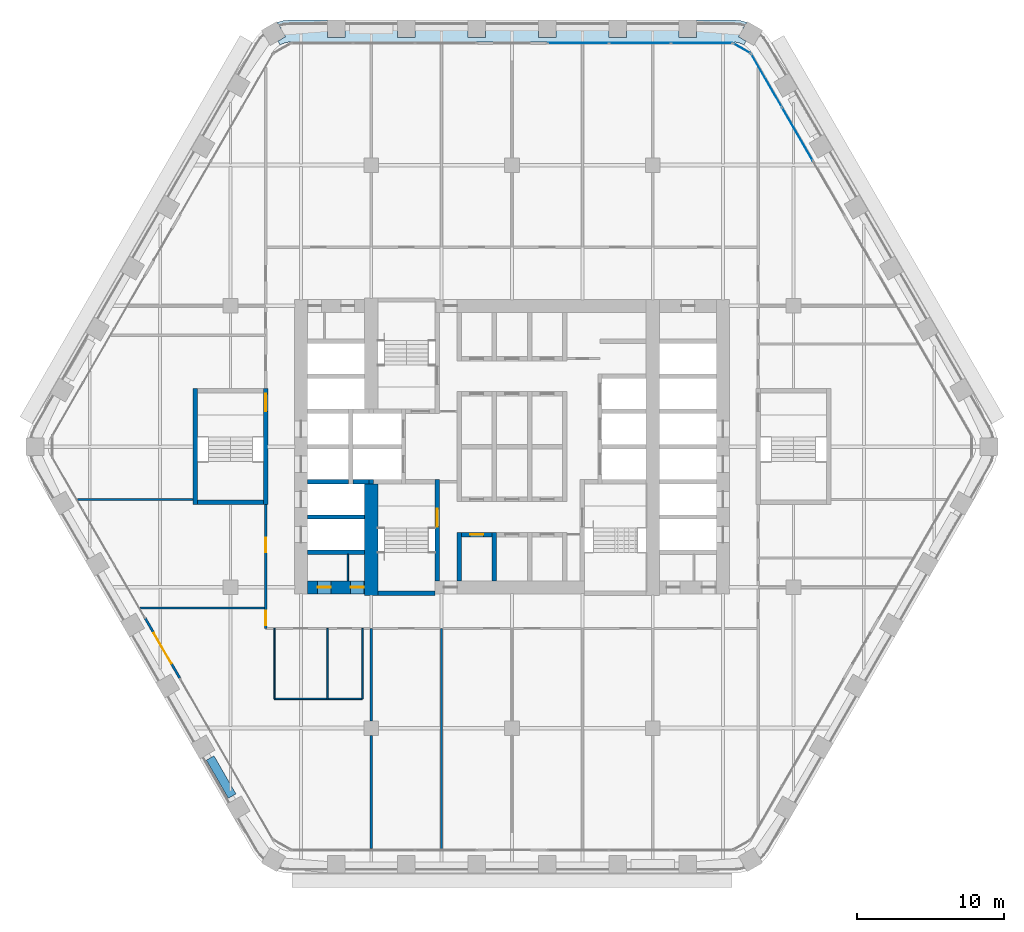
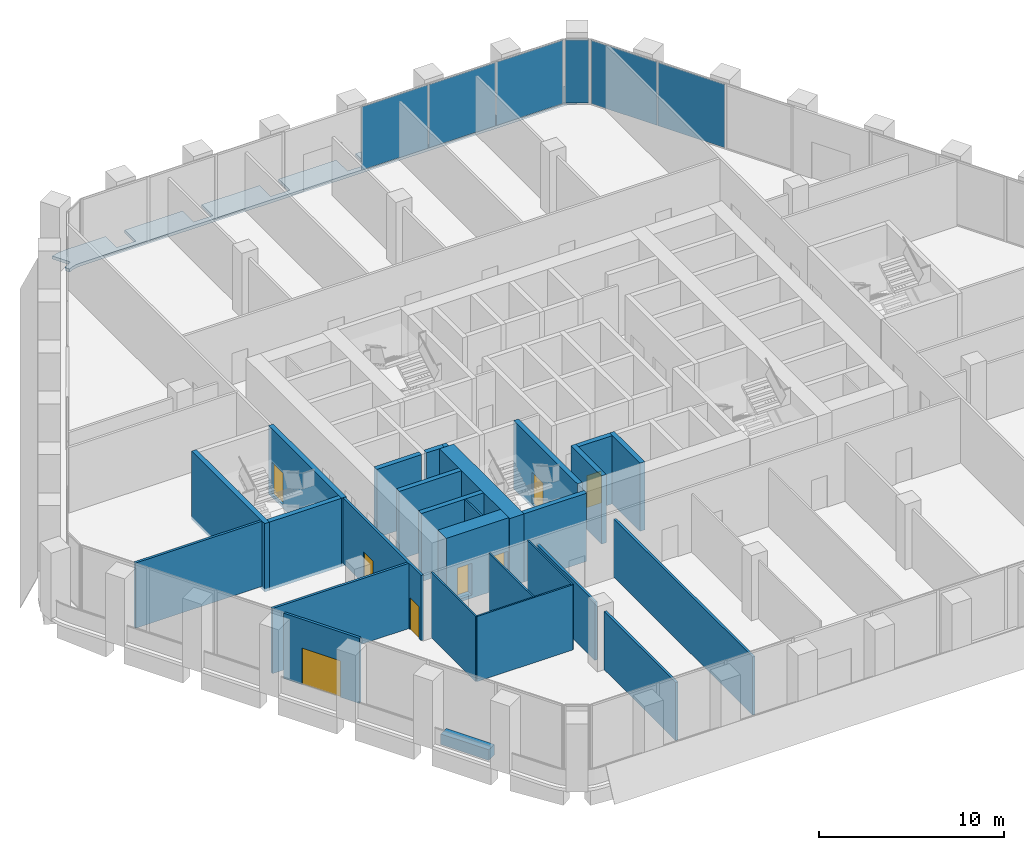
# One storey, part 12 of 22: 28 walls, 8 doors, 6 plates, 1 slab, 8 openings, 3 elements without a shape of their own.
"""IFC4 building model written with IfcOpenShell, lengths in metres."""

from ifc_helpers import new_model, si_unit, direction, frame, frame_2d, origin, origin_2d, place, context, subcontext, project, spatial, polyline, rectangle, outline, extrude, material, layer, layer_set, type_object, element, fill, aggregate, save


model = new_model("IFC4")

# Units and contexts
model_context = context("Model", 3, precision=1e-05, world=origin(), true_north=direction((0.0, 1.0)))
body_context = subcontext(model_context, "Body", "Model", "MODEL_VIEW")
ifc_project = project(units=[si_unit("LENGTHUNIT", "METRE"), si_unit("AREAUNIT", "SQUARE_METRE"), si_unit("VOLUMEUNIT", "CUBIC_METRE"), si_unit("PLANEANGLEUNIT", "RADIAN"), si_unit("MASSUNIT", "GRAM", prefix="KILO")], contexts=[model_context])

# Site, building, storey
site_placement = place(None, origin())
site = spatial("IfcSite", under=ifc_project, at=site_placement, CompositionType="ELEMENT")
building_placement = place(site_placement, origin())
building = spatial("IfcBuilding", under=site, at=building_placement, Name="Kolab Exchange Tower", CompositionType="ELEMENT")
storey_placement = place(building_placement, frame((0.0, 0.0, 113.89990234375)))
storey = spatial("IfcBuildingStorey", under=building, at=storey_placement, Name="L22", CompositionType="ELEMENT", Elevation=113.89990234375)

# Slab
ifc_material_1 = material(Name="Concrete C35/45", Category="concrete")
ifc_layer_1 = layer(ifc_material_1, 0.199951171875)
ifc_layer_set_1 = layer_set([ifc_layer_1], Name="Concrete C35/45")
slab_type = type_object("IfcSlabType", Name="LOGGIA SLAB 200", PredefinedType="FLOOR", material=ifc_layer_set_1)
slab_placement = place(storey_placement, frame((0.0, 0.0, -0.199951171875)))
element("IfcSlab", 1, at=slab_placement, inside=storey, type_object=slab_type, Name="slab/L22/loggia/0-0", PredefinedType="FLOOR", context=body_context, shape_type="SweptSolid", body=[
    extrude(outline(polyline([(15.81787109375, 27.3974609375), (15.968017578125, 27.6572265625), (15.4482421875, 27.957275390625), (16.014892578125, 28.938720703125), (15.5888671875, 29.052978515625), (15.06787109375, 29.098388671875), (12.60009765625, 29.098388671875), (12.60009765625, 27.8984375), (11.39990234375, 27.8984375), (11.39990234375, 29.098388671875), (7.800048828125, 29.098388671875), (7.800048828125, 27.8984375), (6.60009765625, 27.8984375), (6.60009765625, 29.098388671875), (3.0, 29.098388671875), (3.0, 27.8984375), (1.800048828125, 27.8984375), (1.800048828125, 29.098388671875), (-1.800048828125, 29.098388671875), (-1.800048828125, 27.8984375), (-3.0, 27.8984375), (-3.0, 29.098388671875), (-6.60009765625, 29.098388671875), (-6.60009765625, 27.8984375), (-7.800048828125, 27.8984375), (-7.800048828125, 29.098388671875), (-11.39990234375, 29.098388671875), (-11.39990234375, 27.8984375), (-12.60009765625, 27.8984375), (-12.60009765625, 29.098388671875), (-15.06787109375, 29.098388671875), (-15.5888671875, 29.052978515625), (-16.014892578125, 28.938720703125), (-15.4482421875, 27.957275390625), (-15.968017578125, 27.6572265625), (-15.81787109375, 27.3974609375), (-15.5810546875, 27.508056640625), (-15.328369140625, 27.57568359375), (-15.06787109375, 27.598388671875), (15.06787109375, 27.598388671875), (15.328369140625, 27.57568359375), (15.5810546875, 27.508056640625), (15.81787109375, 27.3974609375)])), origin(), (0.0, 0.0, 1.0), 0.199951171875),
])

# Curtain wall, plates
ifc_material_2 = material(Name="Aluminium EN AW-6063 T6", Category="aluminium")
curtain_wall_type = type_object("IfcCurtainWallType", Name="UNITISED LOWER MID ZONE CURTAIN WALL", PredefinedType="NOTDEFINED", material=ifc_material_2)
curtain_wall_1_placement = place(storey_placement, origin())
curtain_wall_1 = element("IfcCurtainWall", 2, at=curtain_wall_1_placement, inside=storey, type_object=curtain_wall_type, Name="cw/L22/F1-2", PredefinedType="NOTDEFINED")
ifc_material_3 = material(Name="Clear insulated glazing unit", Category="glass")
ifc_layer_2 = layer(ifc_material_3, 0.02587890625)
ifc_layer_set_2 = layer_set([ifc_layer_2], Name="Clear insulated glazing unit")
plate_type = type_object("IfcPlateType", Name="UNITISED LOWER MID ZONE GLASS PANEL 26", PredefinedType="CURTAIN_PANEL", material=ifc_layer_set_2)
plate_1_placement = place(storey_placement, frame((4.5263671875, 27.5185546875, 0.06005859375), z_axis=(0.0, 0.0, 1.0), x_axis=(1.0, 0.0, 0.0)))
plate_1 = element("IfcPlate", 3, at=plate_1_placement, type_object=plate_type, Name="CW2 panel 1.1", PredefinedType="CURTAIN_PANEL", context=body_context, shape_type="SweptSolid", body=[
    extrude(rectangle(XDim=4.132568359375, YDim=0.02587890625, at=origin_2d()), origin(), (0.0, 0.0, 1.0), 4.179931640625),
])
plate_2_placement = place(storey_placement, frame((8.73388671875, 27.5185546875, 0.06005859375), z_axis=(0.0, 0.0, 1.0), x_axis=(1.0, 0.0, 0.0)))
plate_2 = element("IfcPlate", 4, at=plate_2_placement, type_object=plate_type, Name="CW2 panel 2.1", PredefinedType="CURTAIN_PANEL", context=body_context, shape_type="SweptSolid", body=[
    extrude(rectangle(XDim=4.16259765625, YDim=0.02587890625, at=origin_2d()), origin(), (0.0, 0.0, 1.0), 4.179931640625),
])
plate_3_placement = place(storey_placement, frame((12.941650390625, 27.5185546875, 0.06005859375), z_axis=(0.0, 0.0, 1.0), x_axis=(1.0, 0.0, 0.0)))
plate_3 = element("IfcPlate", 5, at=plate_3_placement, type_object=plate_type, Name="CW2 panel 3.1", PredefinedType="CURTAIN_PANEL", context=body_context, shape_type="SweptSolid", body=[
    extrude(rectangle(XDim=4.132568359375, YDim=0.02587890625, at=origin_2d()), origin(), (0.0, 0.0, 1.0), 4.179931640625),
])
aggregate(curtain_wall_1, [plate_1, plate_2, plate_3])

curtain_wall_2_placement = place(storey_placement, origin())
curtain_wall_2 = element("IfcCurtainWall", 6, at=curtain_wall_2_placement, inside=storey, type_object=curtain_wall_type, Name="cw/L22/F2-1", PredefinedType="NOTDEFINED")
plate_4_placement = place(storey_placement, frame((17.36083984375, 24.967041015625, 0.06005859375), z_axis=(0.0, 0.0, 1.0), x_axis=(0.500000017564, -0.866025393644, 0.0)))
plate_4 = element("IfcPlate", 7, at=plate_4_placement, type_object=plate_type, Name="CW2 panel 1.1", PredefinedType="CURTAIN_PANEL", context=body_context, shape_type="SweptSolid", body=[
    extrude(rectangle(XDim=4.132568359375, YDim=0.02587890625, at=origin_2d()), origin(), (0.0, 0.0, 1.0), 4.179931640625),
])
plate_5_placement = place(storey_placement, frame((19.464599609375, 21.322998046875, 0.06005859375), z_axis=(0.0, 0.0, 1.0), x_axis=(0.500000017564, -0.866025393644, 0.0)))
plate_5 = element("IfcPlate", 8, at=plate_5_placement, type_object=plate_type, Name="CW2 panel 2.1", PredefinedType="CURTAIN_PANEL", context=body_context, shape_type="SweptSolid", body=[
    extrude(rectangle(XDim=4.16259765625, YDim=0.02587890625, at=origin_2d()), origin(), (0.0, 0.0, 1.0), 4.179931640625),
])
aggregate(curtain_wall_2, [plate_4, plate_5])

# Curtain wall, plate
curtain_wall_3_placement = place(storey_placement, origin())
curtain_wall_3 = element("IfcCurtainWall", 9, at=curtain_wall_3_placement, inside=storey, type_object=curtain_wall_type, Name="cw/L22/F1F2-corner", PredefinedType="NOTDEFINED")
plate_6_placement = place(storey_placement, frame((15.682861328125, 27.16357421875, 0.06005859375), z_axis=(0.0, 0.0, 1.0), x_axis=(0.866025390869, -0.50000002237, 0.0)))
plate_6 = element("IfcPlate", 10, at=plate_6_placement, type_object=plate_type, Name="CW2 panel 1.1", PredefinedType="CURTAIN_PANEL", context=body_context, shape_type="SweptSolid", body=[
    extrude(rectangle(XDim=1.300048828125, YDim=0.02587890625, at=origin_2d()), origin(), (0.0, 0.0, 1.0), 4.179931640625),
])
aggregate(curtain_wall_3, [plate_6])

# Wall, openings, doors
ifc_material_4 = material(Name="Concrete C70/85", Category="concrete")
ifc_layer_3 = layer(ifc_material_4, 0.89990234375)
ifc_layer_set_3 = layer_set([ifc_layer_3], Name="Concrete C70/85")
wall_type_1 = type_object("IfcWallType", Name="CORE WALL 900 C70/85", PredefinedType="SHEAR", material=ifc_layer_set_3)
wall_1_placement = place(storey_placement, frame((-13.949951171875, -9.60009765625, -0.199951171875), z_axis=(0.0, 0.0, 1.0), x_axis=(1.0, 0.0, 0.0)))
wall_1 = element("IfcWall", 11, at=wall_1_placement, inside=storey, type_object=wall_type_1, Name="wall/L22/core/002", PredefinedType="SHEAR", context=body_context, shape_type="SweptSolid", body=[
    extrude(rectangle(XDim=3.89990234375, YDim=0.89990234375, at=frame_2d((1.949951171875, 0.0))), origin(), (0.0, 0.0, 1.0), 4.5),
])
opening_1_placement = place(wall_1_placement, frame((0.699951171875, 0.0, 0.199951171875)))
opening_1 = element("IfcOpeningElement", 12, at=opening_1_placement, cuts=wall_1, Name="Opening D6-234", PredefinedType="OPENING", context=body_context, shape_type="SweptSolid", body=[
    extrude(rectangle(XDim=0.89990234375, YDim=2.10009765625, at=frame_2d((0.449951171875, 1.050048828125))), frame((0.0, 0.4599609375, 0.0), z_axis=(0.0, -1.0, 0.0), x_axis=(1.0, 0.0, 0.0)), (0.0, 0.0, 1.0), 0.919921875),
])
opening_2_placement = place(wall_1_placement, frame((2.949951171875, 0.0, 0.199951171875)))
opening_2 = element("IfcOpeningElement", 13, at=opening_2_placement, cuts=wall_1, Name="Opening D6-235", PredefinedType="OPENING", context=body_context, shape_type="SweptSolid", body=[
    extrude(rectangle(XDim=0.89990234375, YDim=2.10009765625, at=frame_2d((0.449951171875, 1.050048828125))), frame((0.0, 0.4599609375, 0.0), z_axis=(0.0, -1.0, 0.0), x_axis=(1.0, 0.0, 0.0)), (0.0, 0.0, 1.0), 0.919921875),
])
ifc_material_5 = material(Name="Steel S235", Category="steel")
door_type_1 = type_object("IfcDoorType", Name="CORE DOOR 900 EI 120", OperationType="SINGLE_SWING_LEFT", PredefinedType="DOOR", material=ifc_material_5)
door_1_placement = place(opening_1_placement, origin())
door_1 = element("IfcDoor", 14, at=door_1_placement, inside=storey, type_object=door_type_1, Name="Service room door", OperationType="SINGLE_SWING_RIGHT", OverallHeight=2.10009765625, OverallWidth=0.89990234375, PredefinedType="DOOR", context=body_context, shape_type="SweptSolid", body=[
    extrude(rectangle(XDim=0.89990234375, YDim=2.10009765625, at=frame_2d((0.449951171875, 1.050048828125))), frame((0.0, 0.02490234375, 0.0), z_axis=(0.0, -1.0, 0.0), x_axis=(1.0, 0.0, 0.0)), (0.0, 0.0, 1.0), 0.050048828125),
])
fill(opening_1, door_1)
door_2_placement = place(opening_2_placement, origin())
door_2 = element("IfcDoor", 15, at=door_2_placement, inside=storey, type_object=door_type_1, Name="Service room door", OperationType="SINGLE_SWING_LEFT", OverallHeight=2.10009765625, OverallWidth=0.89990234375, PredefinedType="DOOR", context=body_context, shape_type="SweptSolid", body=[
    extrude(rectangle(XDim=0.89990234375, YDim=2.10009765625, at=frame_2d((0.449951171875, 1.050048828125))), frame((0.0, 0.02490234375, 0.0), z_axis=(0.0, -1.0, 0.0), x_axis=(1.0, 0.0, 0.0)), (0.0, 0.0, 1.0), 0.050048828125),
])
fill(opening_2, door_2)

# Wall
wall_2_placement = place(storey_placement, frame((-9.60009765625, -10.14990234375, -0.199951171875), z_axis=(0.0, 0.0, 1.0), x_axis=(0.0, 1.0, 0.0)))
element("IfcWall", 16, at=wall_2_placement, inside=storey, type_object=wall_type_1, Name="wall/L22/core/059", PredefinedType="SHEAR", context=body_context, shape_type="SweptSolid", body=[
    extrude(rectangle(XDim=7.599853515625, YDim=0.89990234375, at=frame_2d((3.7998046875, 0.0))), origin(), (0.0, 0.0, 1.0), 4.5),
])

# Wall, opening, door
ifc_layer_4 = layer(ifc_material_2, 0.159912109375)
ifc_layer_set_4 = layer_set([ifc_layer_4], Name="Aluminium EN AW-6063 T6")
wall_type_2 = type_object("IfcWallType", Name="DOOR SURROUND WALL 160 ALUMINIUM FRAMED", PredefinedType="PARTITIONING", material=ifc_layer_set_4)
wall_3_placement = place(storey_placement, frame((-22.646728515625, -15.811767578125, 0.0), z_axis=(0.0, 0.0, 1.0), x_axis=(-0.499978080042, 0.866038058908, 0.0)))
wall_3 = element("IfcWall", 17, at=wall_3_placement, inside=storey, type_object=wall_type_2, Name="Door surround wall", PredefinedType="PARTITIONING", context=body_context, shape_type="SweptSolid", body=[
    extrude(rectangle(XDim=4.739990234375, YDim=0.159912109375, at=frame_2d((2.3701171875, 0.0))), origin(), (0.0, 0.0, 1.0), 4.300048828125),
])
opening_3_placement = place(wall_3_placement, frame((1.169921875, 0.0, 0.0)))
opening_3 = element("IfcOpeningElement", 18, at=opening_3_placement, cuts=wall_3, Name="Opening GD1-038", PredefinedType="OPENING", context=body_context, shape_type="SweptSolid", body=[
    extrude(rectangle(XDim=2.39990234375, YDim=2.39990234375, at=frame_2d((1.199951171875, 1.199951171875))), frame((0.0, 0.08984375, 0.0), z_axis=(0.0, -1.0, 0.0), x_axis=(1.0, 0.0, 0.0)), (0.0, 0.0, 1.0), 0.179931640625),
])
door_type_2 = type_object("IfcDoorType", Name="LOGGIA SLIDING GLASS DOOR 2400 X 2400", OperationType="DOUBLE_DOOR_SINGLE_SWING", PredefinedType="DOOR", material=ifc_material_2)
door_3_placement = place(opening_3_placement, origin())
door_3 = element("IfcDoor", 19, at=door_3_placement, inside=storey, type_object=door_type_2, Name="Loggia door", OperationType="DOUBLE_DOOR_SLIDING", OverallHeight=2.39990234375, OverallWidth=2.39990234375, PredefinedType="DOOR", context=body_context, shape_type="SweptSolid", body=[
    extrude(rectangle(XDim=2.39990234375, YDim=2.39990234375, at=frame_2d((1.199951171875, 1.199951171875))), frame((0.0, 0.02490234375, 0.0), z_axis=(0.0, -1.0, 0.0), x_axis=(1.0, 0.0, 0.0)), (0.0, 0.0, 1.0), 0.050048828125),
])
fill(opening_3, door_3)

# Wall
ifc_material_6 = material(Name="Concrete C50/60", Category="concrete")
ifc_layer_5 = layer(ifc_material_6, 0.300048828125)
ifc_layer_set_5 = layer_set([ifc_layer_5], Name="Concrete C50/60")
wall_type_3 = type_object("IfcWallType", Name="LIFT SHAFT WALL 300 C50/60", PredefinedType="STANDARD", material=ifc_layer_set_5)
wall_4_placement = place(storey_placement, frame((-13.949951171875, -7.199951171875, -0.199951171875), z_axis=(0.0, 0.0, 1.0), x_axis=(1.0, 0.0, 0.0)))
element("IfcWall", 20, at=wall_4_placement, inside=storey, type_object=wall_type_3, Name="wall/L22/core/005", PredefinedType="STANDARD", context=body_context, shape_type="SweptSolid", body=[
    extrude(rectangle(XDim=3.89990234375, YDim=0.300048828125, at=frame_2d((1.949951171875, 0.0))), origin(), (0.0, 0.0, 1.0), 4.5),
])

# Wall, opening, door
wall_5_placement = place(storey_placement, frame((-3.449951171875, -6.0, -0.199951171875), z_axis=(0.0, 0.0, 1.0), x_axis=(1.0, 0.0, 0.0)))
wall_5 = element("IfcWall", 21, at=wall_5_placement, inside=storey, type_object=wall_type_3, Name="wall/L22/core/007", PredefinedType="STANDARD", context=body_context, shape_type="SweptSolid", body=[
    extrude(rectangle(XDim=2.099853515625, YDim=0.300048828125, at=frame_2d((1.0498046875, 0.0))), origin(), (0.0, 0.0, 1.0), 4.5),
])
opening_4_placement = place(wall_5_placement, frame((0.60009765625, 0.0, 0.199951171875)))
opening_4 = element("IfcOpeningElement", 22, at=opening_4_placement, cuts=wall_5, Name="Opening D6-202", PredefinedType="OPENING", context=body_context, shape_type="SweptSolid", body=[
    extrude(rectangle(XDim=0.89990234375, YDim=2.10009765625, at=frame_2d((0.449951171875, 1.050048828125))), frame((0.0, 0.16015625, 0.0), z_axis=(0.0, -1.0, 0.0), x_axis=(1.0, 0.0, 0.0)), (0.0, 0.0, 1.0), 0.320068359375),
])
door_4_placement = place(opening_4_placement, frame((0.89990234375, 0.0, 0.0), z_axis=(0.0, 0.0, 1.0), x_axis=(-1.0, 0.0, 0.0)))
door_4 = element("IfcDoor", 23, at=door_4_placement, inside=storey, type_object=door_type_1, Name="Service room door", OperationType="SINGLE_SWING_LEFT", OverallHeight=2.10009765625, OverallWidth=0.89990234375, PredefinedType="DOOR", context=body_context, shape_type="SweptSolid", body=[
    extrude(rectangle(XDim=0.89990234375, YDim=2.10009765625, at=frame_2d((0.449951171875, 1.050048828125))), frame((0.0, 0.02490234375, 0.0), z_axis=(0.0, -1.0, 0.0), x_axis=(1.0, 0.0, 0.0)), (0.0, 0.0, 1.0), 0.050048828125),
])
fill(opening_4, door_4)

# Walls
wall_6_placement = place(storey_placement, frame((-13.949951171875, -4.800048828125, -0.199951171875), z_axis=(0.0, 0.0, 1.0), x_axis=(1.0, 0.0, 0.0)))
element("IfcWall", 24, at=wall_6_placement, inside=storey, type_object=wall_type_3, Name="wall/L22/core/010", PredefinedType="STANDARD", context=body_context, shape_type="SweptSolid", body=[
    extrude(rectangle(XDim=3.89990234375, YDim=0.300048828125, at=frame_2d((1.949951171875, 0.0))), origin(), (0.0, 0.0, 1.0), 4.5),
])
wall_7_placement = place(storey_placement, frame((-13.949951171875, -2.39990234375, -0.199951171875), z_axis=(0.0, 0.0, 1.0), x_axis=(1.0, 0.0, 0.0)))
element("IfcWall", 25, at=wall_7_placement, inside=storey, type_object=wall_type_3, Name="wall/L22/core/017", PredefinedType="STANDARD", context=body_context, shape_type="SweptSolid", body=[
    extrude(rectangle(XDim=2.800048828125, YDim=0.300048828125, at=frame_2d((1.39990234375, 0.0))), origin(), (0.0, 0.0, 1.0), 4.5),
])
wall_8_placement = place(storey_placement, frame((-10.85009765625, -2.39990234375, -0.199951171875), z_axis=(0.0, 0.0, 1.0), x_axis=(1.0, 0.0, 0.0)))
element("IfcWall", 26, at=wall_8_placement, inside=storey, type_object=wall_type_3, Name="wall/L22/core/018", PredefinedType="STANDARD", context=body_context, shape_type="SweptSolid", body=[
    extrude(rectangle(XDim=1.10009765625, YDim=0.300048828125, at=frame_2d((0.550048828125, 0.0))), origin(), (0.0, 0.0, 1.0), 4.5),
])
for number, where, z_axis, x_axis, name in (
    (27, (-3.60009765625, -9.14990234375, -0.199951171875), (0.0, 0.0, 1.0), (0.0, 1.0, 0.0), "wall/L22/core/066"),
    (28, (-1.199951171875, -9.14990234375, -0.199951171875), (0.0, 0.0, 1.0), (0.0, 1.0, 0.0), "wall/L22/core/069"),
):
    element("IfcWall", number, at=place(storey_placement, frame(where, z_axis=z_axis, x_axis=x_axis)), inside=storey, type_object=wall_type_3, Name=name, PredefinedType="STANDARD", context=body_context, shape_type="SweptSolid", body=[
        extrude(rectangle(XDim=3.2998046875, YDim=0.300048828125, at=frame_2d((1.64990234375, 0.0))), origin(), (0.0, 0.0, 1.0), 4.5),
    ])
ifc_material_7 = material(Name="Gypsum board", Category="gypsum")
ifc_layer_6 = layer(ifc_material_7, 0.10009765625)
ifc_layer_set_6 = layer_set([ifc_layer_6], Name="Gypsum board")
wall_type_4 = type_object("IfcWallType", Name="PARTITION 100", PredefinedType="PARTITIONING", material=ifc_layer_set_6)
wall_9_placement = place(storey_placement, frame((-10.199951171875, -17.199951171875, 0.0), z_axis=(0.0, 0.0, 1.0), x_axis=(0.0, 1.0, 0.0)))
element("IfcWall", 29, at=wall_9_placement, inside=storey, type_object=wall_type_4, Name="Partition 019", PredefinedType="PARTITIONING", context=body_context, shape_type="SweptSolid", body=[
    extrude(rectangle(XDim=4.800048828125, YDim=0.10009765625, at=frame_2d((2.39990234375, 0.0))), origin(), (0.0, 0.0, 1.0), 4.300048828125),
])
wall_10_placement = place(storey_placement, frame((-11.199951171875, -9.14990234375, 0.0), z_axis=(0.0, 0.0, 1.0), x_axis=(0.0, 1.0, 0.0)))
element("IfcWall", 30, at=wall_10_placement, inside=storey, type_object=wall_type_4, Name="Partition 020", PredefinedType="PARTITIONING", context=body_context, shape_type="SweptSolid", body=[
    extrude(rectangle(XDim=1.7998046875, YDim=0.10009765625, at=frame_2d((0.89990234375, 0.0))), origin(), (0.0, 0.0, 1.0), 4.300048828125),
])
for number, where, z_axis, x_axis, name in (
    (31, (-12.60009765625, -17.199951171875, 0.0), (0.0, 0.0, 1.0), (0.0, 1.0, 0.0), "Partition 021"),
    (32, (-16.199951171875, -17.199951171875, 0.0), (0.0, 0.0, 1.0), (0.0, 1.0, 0.0), "Partition 023"),
):
    element("IfcWall", number, at=place(storey_placement, frame(where, z_axis=z_axis, x_axis=x_axis)), inside=storey, type_object=wall_type_4, Name=name, PredefinedType="PARTITIONING", context=body_context, shape_type="SweptSolid", body=[
        extrude(rectangle(XDim=4.800048828125, YDim=0.10009765625, at=frame_2d((2.39990234375, 0.0))), origin(), (0.0, 0.0, 1.0), 4.300048828125),
    ])
wall_11_placement = place(storey_placement, frame((-16.199951171875, -17.199951171875, 0.0), z_axis=(0.0, 0.0, 1.0), x_axis=(1.0, 0.0, 0.0)))
element("IfcWall", 33, at=wall_11_placement, inside=storey, type_object=wall_type_4, Name="Partition 026", PredefinedType="PARTITIONING", context=body_context, shape_type="SweptSolid", body=[
    extrude(rectangle(XDim=6.0, YDim=0.10009765625, at=frame_2d((3.0, 0.0))), origin(), (0.0, 0.0, 1.0), 4.300048828125),
])
ifc_layer_7 = layer(ifc_material_7, 0.14990234375)
ifc_layer_set_7 = layer_set([ifc_layer_7], Name="Gypsum board")
wall_type_5 = type_object("IfcWallType", Name="PARTITION 150 FIRE-RATED", PredefinedType="PARTITIONING", material=ifc_layer_set_7)
wall_12_placement = place(storey_placement, frame((-4.800048828125, -27.428466796875, 0.0), z_axis=(0.0, 0.0, 1.0), x_axis=(0.0, 1.0, 0.0)))
element("IfcWall", 34, at=wall_12_placement, inside=storey, type_object=wall_type_5, Name="Partition 013", PredefinedType="PARTITIONING", context=body_context, shape_type="SweptSolid", body=[
    extrude(rectangle(XDim=15.028564453125, YDim=0.14990234375, at=frame_2d((7.51416015625, 0.0))), origin(), (0.0, 0.0, 1.0), 3.843017578125),
])
wall_13_placement = place(storey_placement, frame((-9.60009765625, -27.428466796875, 0.0), z_axis=(0.0, 0.0, 1.0), x_axis=(0.0, 1.0, 0.0)))
element("IfcWall", 35, at=wall_13_placement, inside=storey, type_object=wall_type_5, Name="Partition 015", PredefinedType="PARTITIONING", context=body_context, shape_type="SweptSolid", body=[
    extrude(rectangle(XDim=7.728515625, YDim=0.14990234375, at=frame_2d((3.8642578125, 0.0))), origin(), (0.0, 0.0, 1.0), 3.843017578125),
])
wall_14_placement = place(storey_placement, frame((-9.60009765625, -18.699951171875, 0.0), z_axis=(0.0, 0.0, 1.0), x_axis=(0.0, 1.0, 0.0)))
element("IfcWall", 36, at=wall_14_placement, inside=storey, type_object=wall_type_5, Name="Partition 016", PredefinedType="PARTITIONING", context=body_context, shape_type="SweptSolid", body=[
    extrude(rectangle(XDim=6.300048828125, YDim=0.14990234375, at=frame_2d((3.14990234375, 0.0))), origin(), (0.0, 0.0, 1.0), 3.843017578125),
])

# Wall, openings, doors
wall_15_placement = place(storey_placement, frame((-16.800048828125, -12.39990234375, 0.0), z_axis=(0.0, 0.0, 1.0), x_axis=(0.0, 1.0, 0.0)))
wall_15 = element("IfcWall", 37, at=wall_15_placement, inside=storey, type_object=wall_type_5, Name="Partition 024", PredefinedType="PARTITIONING", context=body_context, shape_type="SweptSolid", body=[
    extrude(rectangle(XDim=8.449951171875, YDim=0.14990234375, at=frame_2d((4.22509765625, 0.0))), origin(), (0.0, 0.0, 1.0), 4.300048828125),
])
opening_5_placement = place(wall_15_placement, frame((0.215087890625, 0.0, 0.0)))
opening_5 = element("IfcOpeningElement", 38, at=opening_5_placement, cuts=wall_15, Name="Opening D1-307", PredefinedType="OPENING", context=body_context, shape_type="SweptSolid", body=[
    extrude(rectangle(XDim=1.0, YDim=2.10009765625, at=frame_2d((0.5, 1.050048828125))), frame((0.0, 0.0849609375, 0.0), z_axis=(0.0, -1.0, 0.0), x_axis=(1.0, 0.0, 0.0)), (0.0, 0.0, 1.0), 0.169921875),
])
opening_6_placement = place(wall_15_placement, frame((5.199951171875, 0.0, 0.0)))
opening_6 = element("IfcOpeningElement", 39, at=opening_6_placement, cuts=wall_15, Name="Opening D1-319", PredefinedType="OPENING", context=body_context, shape_type="SweptSolid", body=[
    extrude(rectangle(XDim=1.0, YDim=2.10009765625, at=frame_2d((0.5, 1.050048828125))), frame((0.0, 0.0849609375, 0.0), z_axis=(0.0, -1.0, 0.0), x_axis=(1.0, 0.0, 0.0)), (0.0, 0.0, 1.0), 0.169921875),
])
door_type_3 = type_object("IfcDoorType", Name="FLUSH DOOR 1000 FD60", OperationType="SINGLE_SWING_LEFT", PredefinedType="DOOR", material=ifc_material_5)
door_5_placement = place(opening_5_placement, origin())
door_5 = element("IfcDoor", 40, at=door_5_placement, inside=storey, type_object=door_type_3, Name="Door L22-054", OperationType="SINGLE_SWING_RIGHT", OverallHeight=2.10009765625, OverallWidth=1.0, PredefinedType="DOOR", context=body_context, shape_type="SweptSolid", body=[
    extrude(rectangle(XDim=1.0, YDim=2.10009765625, at=frame_2d((0.5, 1.050048828125))), frame((0.0, 0.02490234375, 0.0), z_axis=(0.0, -1.0, 0.0), x_axis=(1.0, 0.0, 0.0)), (0.0, 0.0, 1.0), 0.050048828125),
])
fill(opening_5, door_5)
door_6_placement = place(opening_6_placement, origin())
door_6 = element("IfcDoor", 41, at=door_6_placement, inside=storey, type_object=door_type_3, Name="Door L22-066", OperationType="SINGLE_SWING_RIGHT", OverallHeight=2.10009765625, OverallWidth=1.0, PredefinedType="DOOR", context=body_context, shape_type="SweptSolid", body=[
    extrude(rectangle(XDim=1.0, YDim=2.10009765625, at=frame_2d((0.5, 1.050048828125))), frame((0.0, 0.02490234375, 0.0), z_axis=(0.0, -1.0, 0.0), x_axis=(1.0, 0.0, 0.0)), (0.0, 0.0, 1.0), 0.050048828125),
])
fill(opening_6, door_6)

# Walls
wall_16_placement = place(storey_placement, frame((-25.37841796875, -11.0, 0.0), z_axis=(0.0, 0.0, 1.0), x_axis=(1.0, 0.0, 0.0)))
element("IfcWall", 42, at=wall_16_placement, inside=storey, type_object=wall_type_5, Name="Partition 028", PredefinedType="PARTITIONING", context=body_context, shape_type="SweptSolid", body=[
    extrude(rectangle(XDim=8.578369140625, YDim=0.14990234375, at=frame_2d((4.2890625, 0.0))), origin(), (0.0, 0.0, 1.0), 4.300048828125),
])
wall_17_placement = place(storey_placement, frame((-29.65087890625, -3.60009765625, 0.0), z_axis=(0.0, 0.0, 1.0), x_axis=(1.0, 0.0, 0.0)))
element("IfcWall", 43, at=wall_17_placement, inside=storey, type_object=wall_type_5, Name="Partition 033", PredefinedType="PARTITIONING", context=body_context, shape_type="SweptSolid", body=[
    extrude(rectangle(XDim=7.90087890625, YDim=0.14990234375, at=frame_2d((3.950439453125, 0.0))), origin(), (0.0, 0.0, 1.0), 4.300048828125),
])
ifc_material_8 = material(Name="Granite facing", Category="masonry")
ifc_layer_8 = layer(ifc_material_8, 0.0400390625)
ifc_material_9 = material(Name="Concrete C40/50 precast", Category="concrete")
ifc_layer_9 = layer(ifc_material_9, 0.56005859375)
ifc_layer_set_8 = layer_set([ifc_layer_8, ifc_layer_9], Name="Concrete C40/50 precast")
wall_type_6 = type_object("IfcWallType", Name="PLANTER BOX 600 X 700 SOIL DEPTH 550", PredefinedType="USERDEFINED", material=ifc_layer_set_8)
wall_18_placement = place(storey_placement, frame((-19.087158203125, -23.837158203125, 0.0), z_axis=(0.0, 0.0, 1.0), x_axis=(-0.499990139034, 0.866031096941, 0.0)))
element("IfcWall", 44, at=wall_18_placement, inside=storey, type_object=wall_type_6, Name="Planter", ObjectType="PLANTER", PredefinedType="USERDEFINED", context=body_context, shape_type="SweptSolid", body=[
    extrude(rectangle(XDim=3.0, YDim=0.60009765625, at=frame_2d((1.5, 0.0))), origin(), (0.0, 0.0, 1.0), 0.7001953125),
])
ifc_layer_10 = layer(ifc_material_6, 0.300048828125)
ifc_layer_set_9 = layer_set([ifc_layer_10], Name="Concrete C50/60")
wall_type_7 = type_object("IfcWallType", Name="STAIR ENCLOSURE WALL 300 C50/60", PredefinedType="STANDARD", material=ifc_layer_set_9)
wall_19_placement = place(storey_placement, frame((-9.14990234375, -10.0, -0.199951171875), z_axis=(0.0, 0.0, 1.0), x_axis=(1.0, 0.0, 0.0)))
element("IfcWall", 45, at=wall_19_placement, inside=storey, type_object=wall_type_7, Name="wall/L22/core/000", PredefinedType="STANDARD", context=body_context, shape_type="SweptSolid", body=[
    extrude(rectangle(XDim=3.89990234375, YDim=0.300048828125, at=frame_2d((1.949951171875, 0.0))), origin(), (0.0, 0.0, 1.0), 4.5),
])
wall_20_placement = place(storey_placement, frame((-21.449951171875, -3.800048828125, -0.199951171875), z_axis=(0.0, 0.0, 1.0), x_axis=(1.0, 0.0, 0.0)))
element("IfcWall", 46, at=wall_20_placement, inside=storey, type_object=wall_type_7, Name="wall/L22/core/012", PredefinedType="STANDARD", context=body_context, shape_type="SweptSolid", body=[
    extrude(rectangle(XDim=4.5, YDim=0.300048828125, at=frame_2d((2.25, 0.0))), origin(), (0.0, 0.0, 1.0), 4.5),
])
wall_21_placement = place(storey_placement, frame((-21.60009765625, -3.949951171875, -0.199951171875), z_axis=(0.0, 0.0, 1.0), x_axis=(0.0, 1.0, 0.0)))
element("IfcWall", 47, at=wall_21_placement, inside=storey, type_object=wall_type_7, Name="wall/L22/core/055", PredefinedType="STANDARD", context=body_context, shape_type="SweptSolid", body=[
    extrude(rectangle(XDim=7.89990234375, YDim=0.300048828125, at=frame_2d((3.949951171875, 0.0))), origin(), (0.0, 0.0, 1.0), 4.5),
])

# Wall, opening, door
wall_22_placement = place(storey_placement, frame((-16.800048828125, -3.949951171875, -0.199951171875), z_axis=(0.0, 0.0, 1.0), x_axis=(0.0, 1.0, 0.0)))
wall_22 = element("IfcWall", 48, at=wall_22_placement, inside=storey, type_object=wall_type_7, Name="wall/L22/core/056", PredefinedType="STANDARD", context=body_context, shape_type="SweptSolid", body=[
    extrude(rectangle(XDim=7.89990234375, YDim=0.300048828125, at=frame_2d((3.949951171875, 0.0))), origin(), (0.0, 0.0, 1.0), 4.5),
])
opening_7_placement = place(wall_22_placement, frame((6.35009765625, 0.0, 0.199951171875)))
opening_7 = element("IfcOpeningElement", 49, at=opening_7_placement, cuts=wall_22, Name="Opening D4-048", PredefinedType="OPENING", context=body_context, shape_type="SweptSolid", body=[
    extrude(rectangle(XDim=1.199951171875, YDim=2.10009765625, at=frame_2d((0.60009765625, 1.050048828125))), frame((0.0, 0.16015625, 0.0), z_axis=(0.0, -1.0, 0.0), x_axis=(1.0, 0.0, 0.0)), (0.0, 0.0, 1.0), 0.320068359375),
])
door_type_4 = type_object("IfcDoorType", Name="STAIR DOOR 1200 EI 120", OperationType="SINGLE_SWING_LEFT", PredefinedType="DOOR", material=ifc_material_5)
door_7_placement = place(opening_7_placement, origin())
door_7 = element("IfcDoor", 50, at=door_7_placement, inside=storey, type_object=door_type_4, Name="Stair 5 door", OperationType="SINGLE_SWING_RIGHT", OverallHeight=2.10009765625, OverallWidth=1.199951171875, PredefinedType="DOOR", context=body_context, shape_type="SweptSolid", body=[
    extrude(rectangle(XDim=1.199951171875, YDim=2.10009765625, at=frame_2d((0.60009765625, 1.050048828125))), frame((0.0, 0.02490234375, 0.0), z_axis=(0.0, -1.0, 0.0), x_axis=(1.0, 0.0, 0.0)), (0.0, 0.0, 1.0), 0.050048828125),
])
fill(opening_7, door_7)

# Wall
wall_23_placement = place(storey_placement, frame((-9.60009765625, -2.550048828125, -0.199951171875), z_axis=(0.0, 0.0, 1.0), x_axis=(0.0, 1.0, 0.0)))
element("IfcWall", 51, at=wall_23_placement, inside=storey, type_object=wall_type_7, Name="wall/L22/core/060", PredefinedType="STANDARD", context=body_context, shape_type="SweptSolid", body=[
    extrude(rectangle(XDim=0.300048828125, YDim=0.300048828125, at=frame_2d((0.14990234375, 0.0))), origin(), (0.0, 0.0, 1.0), 4.5),
])

# Wall, opening, door
wall_24_placement = place(storey_placement, frame((-5.10009765625, -9.14990234375, -0.199951171875), z_axis=(0.0, 0.0, 1.0), x_axis=(0.0, 1.0, 0.0)))
wall_24 = element("IfcWall", 52, at=wall_24_placement, inside=storey, type_object=wall_type_7, Name="wall/L22/core/064", PredefinedType="STANDARD", context=body_context, shape_type="SweptSolid", body=[
    extrude(rectangle(XDim=6.89990234375, YDim=0.300048828125, at=frame_2d((3.449951171875, 0.0))), origin(), (0.0, 0.0, 1.0), 4.5),
])
opening_8_placement = place(wall_24_placement, frame((3.699951171875, 0.0, 0.199951171875)))
opening_8 = element("IfcOpeningElement", 53, at=opening_8_placement, cuts=wall_24, Name="Opening D4-046", PredefinedType="OPENING", context=body_context, shape_type="SweptSolid", body=[
    extrude(rectangle(XDim=1.199951171875, YDim=2.10009765625, at=frame_2d((0.60009765625, 1.050048828125))), frame((0.0, 0.16015625, 0.0), z_axis=(0.0, -1.0, 0.0), x_axis=(1.0, 0.0, 0.0)), (0.0, 0.0, 1.0), 0.320068359375),
])
door_8_placement = place(opening_8_placement, origin())
door_8 = element("IfcDoor", 54, at=door_8_placement, inside=storey, type_object=door_type_4, Name="Stair 3 door", OperationType="SINGLE_SWING_RIGHT", OverallHeight=2.10009765625, OverallWidth=1.199951171875, PredefinedType="DOOR", context=body_context, shape_type="SweptSolid", body=[
    extrude(rectangle(XDim=1.199951171875, YDim=2.10009765625, at=frame_2d((0.60009765625, 1.050048828125))), frame((0.0, 0.02490234375, 0.0), z_axis=(0.0, -1.0, 0.0), x_axis=(1.0, 0.0, 0.0)), (0.0, 0.0, 1.0), 0.050048828125),
])
fill(opening_8, door_8)

save(model, "model.ifc")
